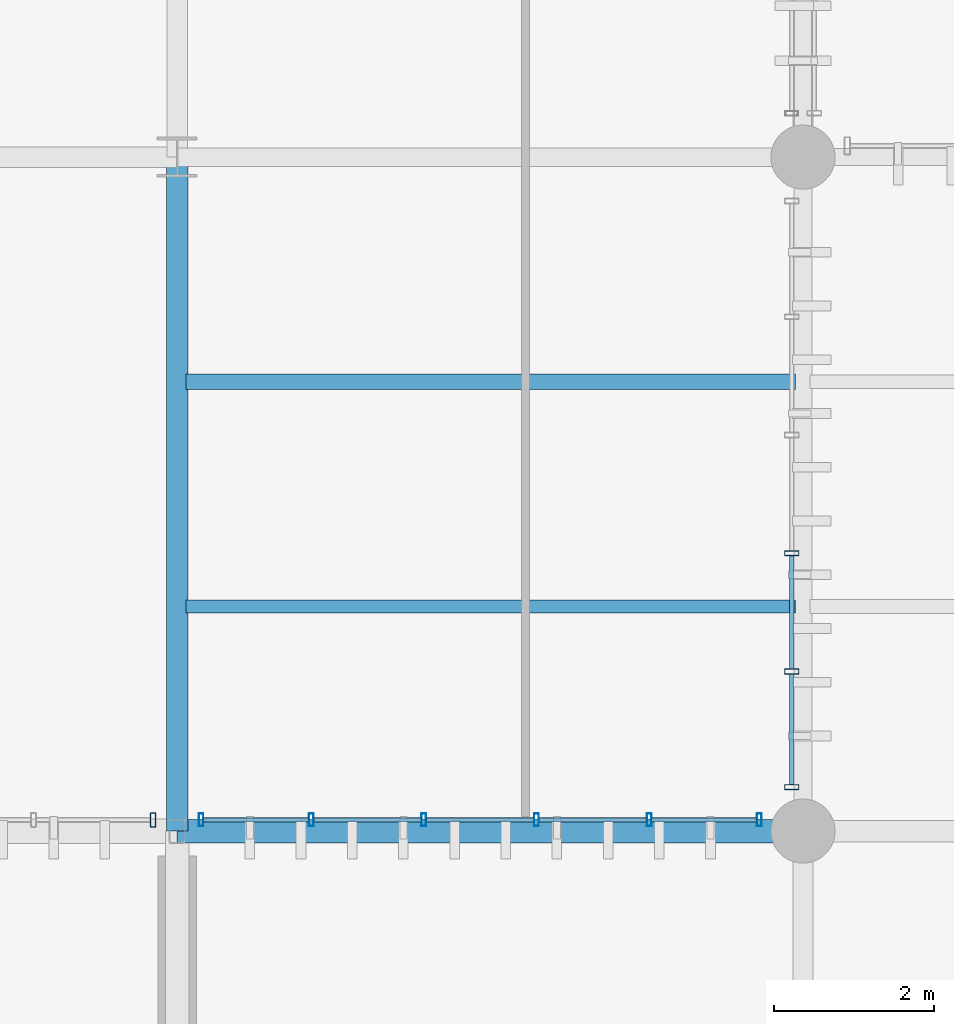
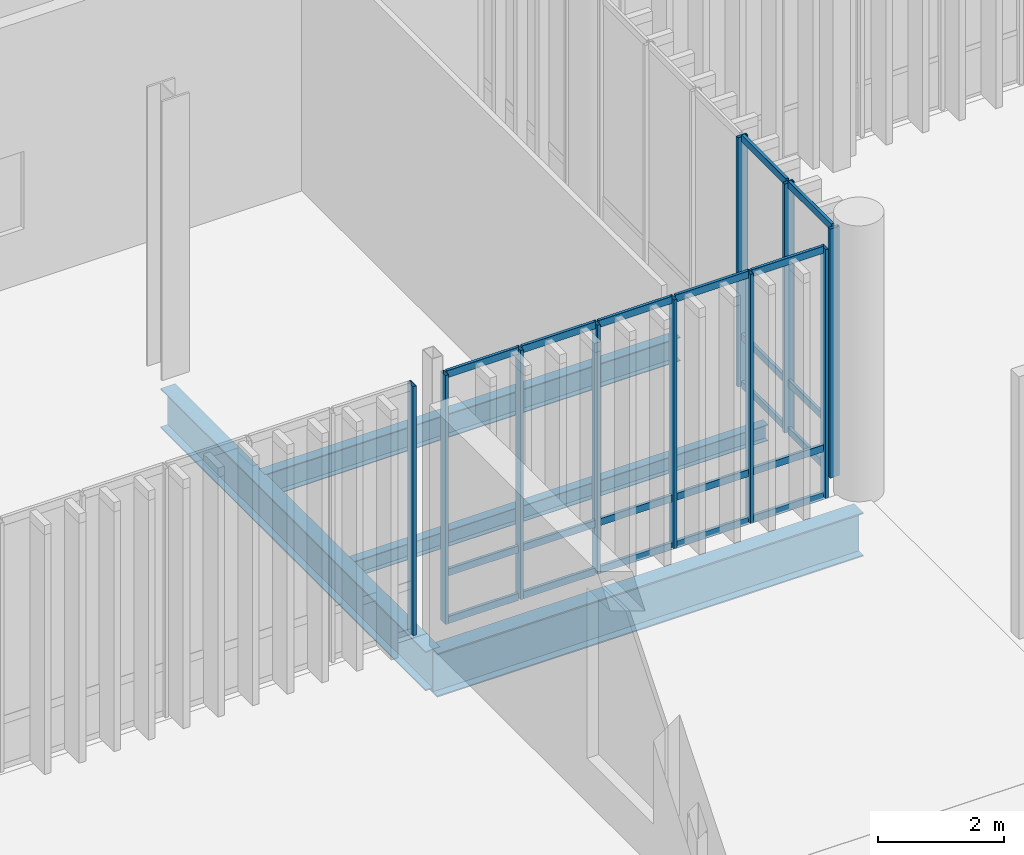
# One storey, part 21 of 112: 31 members, 4 beams, 3 elements without a shape of their own.
"""IFC4 building model written with IfcOpenShell, lengths in metres."""

from ifc_helpers import new_model, si_unit, direction, frame, origin_with_axes, origin_2d_with_axis, place, context, subcontext, project, spatial, hollow_rectangle, i_section, extrude, material, material_profile, profile_set, type_object, element, aggregate, save


model = new_model("IFC4")

# Units and contexts
model_context = context("Model", 3, precision=1e-05, world=origin_with_axes(), true_north=direction((0.0, 1.0)))
body_context = subcontext(model_context, "Body", "Model", "MODEL_VIEW")
ifc_project = project(units=[si_unit("LENGTHUNIT", "METRE"), si_unit("AREAUNIT", "SQUARE_METRE"), si_unit("VOLUMEUNIT", "CUBIC_METRE"), si_unit("PLANEANGLEUNIT", "RADIAN"), si_unit("MASSUNIT", "GRAM", prefix="KILO"), si_unit("THERMODYNAMICTEMPERATUREUNIT", "KELVIN")], contexts=[model_context])

# Site, building, storey
site_placement = place(None, origin_with_axes())
site = spatial("IfcSite", under=ifc_project, at=site_placement, CompositionType="ELEMENT")
building_placement = place(site_placement, origin_with_axes())
building = spatial("IfcBuilding", under=site, at=building_placement, Name="Montbau Bow Law Courts", CompositionType="ELEMENT")
storey_placement = place(building_placement, origin_with_axes())
storey = spatial("IfcBuildingStorey", under=building, at=storey_placement, Name="L00", CompositionType="ELEMENT", Elevation=0.0)

# Beams
ifc_material_1 = material(Name="Steel CSA G40.21 Grade 350W (350 MPa)", Category="steel")
ifc_material_profile_1 = material_profile(ifc_material_1, i_section(OverallWidth=0.293, OverallDepth=0.846, WebThickness=0.0154, FlangeThickness=0.0244, at=origin_2d_with_axis()), Name="W840X210", Category="Main", Priority=0)
ifc_profile_set_1 = profile_set([ifc_material_profile_1], Name="Steel CSA G40.21 Grade 350W (350 MPa)")
beam_type_1 = type_object("IfcBeamType", Name="B-FLR-02", PredefinedType="BEAM", material=ifc_profile_set_1)
beam_1_placement = place(None, frame((39.0, 30.6, -0.763), z_axis=(1.0, 0.0, 0.0), x_axis=(0.0, 1.0, 0.0)))
element("IfcBeam", 1, at=beam_1_placement, inside=storey, type_object=beam_type_1, Name="BM-L00-S0173:bm2_0176", PredefinedType="BEAM", context=body_context, shape_type="SweptSolid", body=[
    extrude(i_section(OverallWidth=0.293, OverallDepth=0.846, WebThickness=0.0154, FlangeThickness=0.0244, at=origin_2d_with_axis()), origin_with_axes(), (0.0, 0.0, 1.0), 7.8),
])
ifc_material_profile_2 = material_profile(ifc_material_1, i_section(OverallWidth=0.267, OverallDepth=0.766, WebThickness=0.0149, FlangeThickness=0.0236, at=origin_2d_with_axis()), Name="W760X185", Category="Main", Priority=0)
ifc_profile_set_2 = profile_set([ifc_material_profile_2], Name="Steel CSA G40.21 Grade 350W (350 MPa)")
beam_type_2 = type_object("IfcBeamType", Name="B-FLR-03", PredefinedType="BEAM", material=ifc_profile_set_2)
beam_2_placement = place(None, frame((39.0, 30.6, -0.723), z_axis=(0.0, 1.0, 0.0), x_axis=(-1.0, 0.0, 0.0)))
element("IfcBeam", 2, at=beam_2_placement, inside=storey, type_object=beam_type_2, Name="BM-L00-S0263:bm2_0266", PredefinedType="BEAM", context=body_context, shape_type="SweptSolid", body=[
    extrude(i_section(OverallWidth=0.267, OverallDepth=0.766, WebThickness=0.0149, FlangeThickness=0.0236, at=origin_2d_with_axis()), origin_with_axes(), (0.0, 0.0, 1.0), 8.4),
])
ifc_material_profile_3 = material_profile(ifc_material_1, i_section(OverallWidth=0.191, OverallDepth=0.46, WebThickness=0.0099, FlangeThickness=0.016, at=origin_2d_with_axis()), Name="W460X82", Category="Main", Priority=0)
ifc_profile_set_3 = profile_set([ifc_material_profile_3], Name="Steel CSA G40.21 Grade 350W (350 MPa)")
beam_type_3 = type_object("IfcBeamType", Name="B-JST-01", PredefinedType="JOIST", material=ifc_profile_set_3)
beam_3_placement = place(None, frame((39.109, 36.2, -0.57), z_axis=(1.0, 0.0, 0.0), x_axis=(0.0, 1.0, 0.0)))
element("IfcBeam", 3, at=beam_3_placement, inside=storey, type_object=beam_type_3, Name="JST-L00-S0036:jst2_0036", PredefinedType="JOIST", context=body_context, shape_type="SweptSolid", body=[
    extrude(i_section(OverallWidth=0.191, OverallDepth=0.46, WebThickness=0.0099, FlangeThickness=0.016, at=origin_2d_with_axis()), origin_with_axes(), (0.0, 0.0, 1.0), 7.6),
])
ifc_material_profile_4 = material_profile(ifc_material_1, i_section(OverallWidth=0.166, OverallDepth=0.313, WebThickness=0.0066, FlangeThickness=0.0112, at=origin_2d_with_axis()), Name="W310X45", Category="Main", Priority=0)
ifc_profile_set_4 = profile_set([ifc_material_profile_4], Name="Steel CSA G40.21 Grade 350W (350 MPa)")
beam_type_4 = type_object("IfcBeamType", Name="B-JST-04", PredefinedType="JOIST", material=ifc_profile_set_4)
beam_4_placement = place(None, frame((39.109, 33.4, -0.497), z_axis=(1.0, 0.0, 0.0), x_axis=(0.0, 1.0, 0.0)))
element("IfcBeam", 4, at=beam_4_placement, inside=storey, type_object=beam_type_4, Name="JST-L00-S0035:jst2_0035", PredefinedType="JOIST", context=body_context, shape_type="SweptSolid", body=[
    extrude(i_section(OverallWidth=0.166, OverallDepth=0.313, WebThickness=0.0066, FlangeThickness=0.0112, at=origin_2d_with_axis()), origin_with_axes(), (0.0, 0.0, 1.0), 7.6),
])

# Curtain wall, member
ifc_material_2 = material(Name="Thermally Broken Extruded Aluminium AA 6063-T6", Category="aluminium")
curtain_wall_type = type_object("IfcCurtainWallType", Name="CW-TRC-01", PredefinedType="NOTDEFINED", material=ifc_material_2)
curtain_wall_1_placement = place(None, frame((31.115, 30.74, 0.0), z_axis=(0.0, 0.0, 1.0), x_axis=(1.0, 0.0, 0.0)))
curtain_wall_1 = element("IfcCurtainWall", 5, at=curtain_wall_1_placement, inside=storey, type_object=curtain_wall_type, Name="CW-L00-004:cw_0004", PredefinedType="NOTDEFINED")
ifc_material_profile_5 = material_profile(ifc_material_2, hollow_rectangle(XDim=0.065, YDim=0.18, WallThickness=0.005, InnerFilletRadius=0.01, OuterFilletRadius=0.005, at=origin_2d_with_axis()), Name="CWM-180X65", Category="Main", Priority=0)
ifc_profile_set_5 = profile_set([ifc_material_profile_5], Name="Thermally Broken Extruded Aluminium AA 6063-T6")
member_type_1 = type_object("IfcMemberType", Name="M-MUL-02", PredefinedType="MULLION", material=ifc_profile_set_5)
member_1_placement = place(None, frame((38.7, 30.74, 0.0), z_axis=(0.0, 0.0, 1.0), x_axis=(1.0, 0.0, 0.0)))
member_1 = element("IfcMember", 6, at=member_1_placement, type_object=member_type_1, Name="CW-L00-004-M06:cw_0004_M06", PredefinedType="MULLION", context=body_context, shape_type="SweptSolid", body=[
    extrude(hollow_rectangle(XDim=0.065, YDim=0.18, WallThickness=0.005, InnerFilletRadius=0.01, OuterFilletRadius=0.005, at=origin_2d_with_axis()), origin_with_axes(), (0.0, 0.0, 1.0), 4.82),
])
aggregate(curtain_wall_1, [member_1])

# Curtain wall, members
curtain_wall_2_placement = place(None, frame((46.66, 31.115, 0.0), z_axis=(0.0, 0.0, 1.0), x_axis=(1.0, 0.0, 0.0)))
curtain_wall_2 = element("IfcCurtainWall", 7, at=curtain_wall_2_placement, inside=storey, type_object=curtain_wall_type, Name="CW-L00-013:cw_0013", PredefinedType="NOTDEFINED")
member_2_placement = place(None, frame((46.66, 31.148, 0.0), z_axis=(0.0, 0.0, 1.0), x_axis=(0.0, 1.0, 0.0)))
member_2 = element("IfcMember", 8, at=member_2_placement, type_object=member_type_1, Name="CW-L00-013-M01:cw_0013_M01", PredefinedType="MULLION", context=body_context, shape_type="SweptSolid", body=[
    extrude(hollow_rectangle(XDim=0.065, YDim=0.18, WallThickness=0.005, InnerFilletRadius=0.01, OuterFilletRadius=0.005, at=origin_2d_with_axis()), origin_with_axes(), (0.0, 0.0, 1.0), 4.82),
])
member_3_placement = place(None, frame((46.66, 32.589, 0.0), z_axis=(0.0, 0.0, 1.0), x_axis=(0.0, 1.0, 0.0)))
member_3 = element("IfcMember", 9, at=member_3_placement, type_object=member_type_1, Name="CW-L00-013-M02:cw_0013_M02", PredefinedType="MULLION", context=body_context, shape_type="SweptSolid", body=[
    extrude(hollow_rectangle(XDim=0.065, YDim=0.18, WallThickness=0.005, InnerFilletRadius=0.01, OuterFilletRadius=0.005, at=origin_2d_with_axis()), origin_with_axes(), (0.0, 0.0, 1.0), 4.82),
])
member_4_placement = place(None, frame((46.66, 34.063, 0.0), z_axis=(0.0, 0.0, 1.0), x_axis=(0.0, 1.0, 0.0)))
member_4 = element("IfcMember", 10, at=member_4_placement, type_object=member_type_1, Name="CW-L00-013-M03:cw_0013_M03", PredefinedType="MULLION", context=body_context, shape_type="SweptSolid", body=[
    extrude(hollow_rectangle(XDim=0.065, YDim=0.18, WallThickness=0.005, InnerFilletRadius=0.01, OuterFilletRadius=0.005, at=origin_2d_with_axis()), origin_with_axes(), (0.0, 0.0, 1.0), 4.82),
])

curtain_wall_3_placement = place(None, frame((39.268, 30.74, 0.0), z_axis=(0.0, 0.0, 1.0), x_axis=(1.0, 0.0, 0.0)))
curtain_wall_3 = element("IfcCurtainWall", 11, at=curtain_wall_3_placement, inside=storey, type_object=curtain_wall_type, Name="CW-L00-005:cw_0005", PredefinedType="NOTDEFINED")
ifc_material_profile_6 = material_profile(ifc_material_2, hollow_rectangle(XDim=0.06, YDim=0.16, WallThickness=0.004, InnerFilletRadius=0.008, OuterFilletRadius=0.004, at=origin_2d_with_axis()), Name="CWM-160X60", Category="Main", Priority=0)
ifc_profile_set_6 = profile_set([ifc_material_profile_6], Name="Thermally Broken Extruded Aluminium AA 6063-T6")
member_type_2 = type_object("IfcMemberType", Name="M-MUL-03", PredefinedType="MULLION", material=ifc_profile_set_6)
member_5_placement = place(None, frame((39.298, 30.74, 0.0), z_axis=(0.0, 0.0, 1.0), x_axis=(1.0, 0.0, 0.0)))
member_5 = element("IfcMember", 12, at=member_5_placement, type_object=member_type_2, Name="CW-L00-005-M01:cw_0005_M01", PredefinedType="MULLION", context=body_context, shape_type="SweptSolid", body=[
    extrude(hollow_rectangle(XDim=0.06, YDim=0.16, WallThickness=0.004, InnerFilletRadius=0.008, OuterFilletRadius=0.004, at=origin_2d_with_axis()), origin_with_axes(), (0.0, 0.0, 1.0), 4.82),
])
member_6_placement = place(None, frame((40.671, 30.74, 0.0), z_axis=(0.0, 0.0, 1.0), x_axis=(1.0, 0.0, 0.0)))
member_6 = element("IfcMember", 13, at=member_6_placement, type_object=member_type_2, Name="CW-L00-005-M02:cw_0005_M02", PredefinedType="MULLION", context=body_context, shape_type="SweptSolid", body=[
    extrude(hollow_rectangle(XDim=0.06, YDim=0.16, WallThickness=0.004, InnerFilletRadius=0.008, OuterFilletRadius=0.004, at=origin_2d_with_axis()), origin_with_axes(), (0.0, 0.0, 1.0), 4.82),
])
member_7_placement = place(None, frame((42.075, 30.74, 0.0), z_axis=(0.0, 0.0, 1.0), x_axis=(1.0, 0.0, 0.0)))
member_7 = element("IfcMember", 14, at=member_7_placement, type_object=member_type_2, Name="CW-L00-005-M03:cw_0005_M03", PredefinedType="MULLION", context=body_context, shape_type="SweptSolid", body=[
    extrude(hollow_rectangle(XDim=0.06, YDim=0.16, WallThickness=0.004, InnerFilletRadius=0.008, OuterFilletRadius=0.004, at=origin_2d_with_axis()), origin_with_axes(), (0.0, 0.0, 1.0), 4.82),
])
member_8_placement = place(None, frame((43.478, 30.74, 0.0), z_axis=(0.0, 0.0, 1.0), x_axis=(1.0, 0.0, 0.0)))
member_8 = element("IfcMember", 15, at=member_8_placement, type_object=member_type_2, Name="CW-L00-005-M04:cw_0005_M04", PredefinedType="MULLION", context=body_context, shape_type="SweptSolid", body=[
    extrude(hollow_rectangle(XDim=0.06, YDim=0.16, WallThickness=0.004, InnerFilletRadius=0.008, OuterFilletRadius=0.004, at=origin_2d_with_axis()), origin_with_axes(), (0.0, 0.0, 1.0), 4.82),
])
member_9_placement = place(None, frame((44.882, 30.74, 0.0), z_axis=(0.0, 0.0, 1.0), x_axis=(1.0, 0.0, 0.0)))
member_9 = element("IfcMember", 16, at=member_9_placement, type_object=member_type_2, Name="CW-L00-005-M05:cw_0005_M05", PredefinedType="MULLION", context=body_context, shape_type="SweptSolid", body=[
    extrude(hollow_rectangle(XDim=0.06, YDim=0.16, WallThickness=0.004, InnerFilletRadius=0.008, OuterFilletRadius=0.004, at=origin_2d_with_axis()), origin_with_axes(), (0.0, 0.0, 1.0), 4.82),
])
member_10_placement = place(None, frame((46.255, 30.74, 0.0), z_axis=(0.0, 0.0, 1.0), x_axis=(1.0, 0.0, 0.0)))
member_10 = element("IfcMember", 17, at=member_10_placement, type_object=member_type_2, Name="CW-L00-005-M06:cw_0005_M06", PredefinedType="MULLION", context=body_context, shape_type="SweptSolid", body=[
    extrude(hollow_rectangle(XDim=0.06, YDim=0.16, WallThickness=0.004, InnerFilletRadius=0.008, OuterFilletRadius=0.004, at=origin_2d_with_axis()), origin_with_axes(), (0.0, 0.0, 1.0), 4.82),
])
ifc_material_profile_7 = material_profile(ifc_material_2, hollow_rectangle(XDim=0.055, YDim=0.14, WallThickness=0.004, InnerFilletRadius=0.008, OuterFilletRadius=0.004, at=origin_2d_with_axis()), Name="CWT-140X55", Category="Main", Priority=0)
ifc_profile_set_7 = profile_set([ifc_material_profile_7], Name="Thermally Broken Extruded Aluminium AA 6063-T6")
member_type_3 = type_object("IfcMemberType", Name="M-TRN-02", PredefinedType="USERDEFINED", material=ifc_profile_set_7)
member_11_placement = place(None, frame((39.33, 30.74, 0.028), z_axis=(1.0, 0.0, 0.0), x_axis=(0.0, 1.0, 0.0)))
member_11 = element("IfcMember", 18, at=member_11_placement, type_object=member_type_3, Name="CW-L00-005-T01-1:cw_0005_T01_1", ObjectType="TRANSOM", PredefinedType="USERDEFINED", context=body_context, shape_type="SweptSolid", body=[
    extrude(hollow_rectangle(XDim=0.055, YDim=0.14, WallThickness=0.004, InnerFilletRadius=0.008, OuterFilletRadius=0.004, at=origin_2d_with_axis()), origin_with_axes(), (0.0, 0.0, 1.0), 1.309),
])
member_12_placement = place(None, frame((39.33, 30.74, 0.95), z_axis=(1.0, 0.0, 0.0), x_axis=(0.0, 1.0, 0.0)))
member_12 = element("IfcMember", 19, at=member_12_placement, type_object=member_type_3, Name="CW-L00-005-T01-2:cw_0005_T01_2", ObjectType="TRANSOM", PredefinedType="USERDEFINED", context=body_context, shape_type="SweptSolid", body=[
    extrude(hollow_rectangle(XDim=0.055, YDim=0.14, WallThickness=0.004, InnerFilletRadius=0.008, OuterFilletRadius=0.004, at=origin_2d_with_axis()), origin_with_axes(), (0.0, 0.0, 1.0), 1.309),
])
member_13_placement = place(None, frame((39.33, 30.74, 4.793), z_axis=(1.0, 0.0, 0.0), x_axis=(0.0, 1.0, 0.0)))
member_13 = element("IfcMember", 20, at=member_13_placement, type_object=member_type_3, Name="CW-L00-005-T01-3:cw_0005_T01_3", ObjectType="TRANSOM", PredefinedType="USERDEFINED", context=body_context, shape_type="SweptSolid", body=[
    extrude(hollow_rectangle(XDim=0.055, YDim=0.14, WallThickness=0.004, InnerFilletRadius=0.008, OuterFilletRadius=0.004, at=origin_2d_with_axis()), origin_with_axes(), (0.0, 0.0, 1.0), 1.309),
])
member_14_placement = place(None, frame((40.703, 30.74, 0.028), z_axis=(1.0, 0.0, 0.0), x_axis=(0.0, 1.0, 0.0)))
member_14 = element("IfcMember", 21, at=member_14_placement, type_object=member_type_3, Name="CW-L00-005-T02-1:cw_0005_T02_1", ObjectType="TRANSOM", PredefinedType="USERDEFINED", context=body_context, shape_type="SweptSolid", body=[
    extrude(hollow_rectangle(XDim=0.055, YDim=0.14, WallThickness=0.004, InnerFilletRadius=0.008, OuterFilletRadius=0.004, at=origin_2d_with_axis()), origin_with_axes(), (0.0, 0.0, 1.0), 1.34),
])
member_15_placement = place(None, frame((40.703, 30.74, 0.95), z_axis=(1.0, 0.0, 0.0), x_axis=(0.0, 1.0, 0.0)))
member_15 = element("IfcMember", 22, at=member_15_placement, type_object=member_type_3, Name="CW-L00-005-T02-2:cw_0005_T02_2", ObjectType="TRANSOM", PredefinedType="USERDEFINED", context=body_context, shape_type="SweptSolid", body=[
    extrude(hollow_rectangle(XDim=0.055, YDim=0.14, WallThickness=0.004, InnerFilletRadius=0.008, OuterFilletRadius=0.004, at=origin_2d_with_axis()), origin_with_axes(), (0.0, 0.0, 1.0), 1.34),
])
member_16_placement = place(None, frame((40.703, 30.74, 4.793), z_axis=(1.0, 0.0, 0.0), x_axis=(0.0, 1.0, 0.0)))
member_16 = element("IfcMember", 23, at=member_16_placement, type_object=member_type_3, Name="CW-L00-005-T02-3:cw_0005_T02_3", ObjectType="TRANSOM", PredefinedType="USERDEFINED", context=body_context, shape_type="SweptSolid", body=[
    extrude(hollow_rectangle(XDim=0.055, YDim=0.14, WallThickness=0.004, InnerFilletRadius=0.008, OuterFilletRadius=0.004, at=origin_2d_with_axis()), origin_with_axes(), (0.0, 0.0, 1.0), 1.34),
])
member_17_placement = place(None, frame((42.107, 30.74, 0.028), z_axis=(1.0, 0.0, 0.0), x_axis=(0.0, 1.0, 0.0)))
member_17 = element("IfcMember", 24, at=member_17_placement, type_object=member_type_3, Name="CW-L00-005-T03-1:cw_0005_T03_1", ObjectType="TRANSOM", PredefinedType="USERDEFINED", context=body_context, shape_type="SweptSolid", body=[
    extrude(hollow_rectangle(XDim=0.055, YDim=0.14, WallThickness=0.004, InnerFilletRadius=0.008, OuterFilletRadius=0.004, at=origin_2d_with_axis()), origin_with_axes(), (0.0, 0.0, 1.0), 1.339),
])
member_18_placement = place(None, frame((42.107, 30.74, 0.95), z_axis=(1.0, 0.0, 0.0), x_axis=(0.0, 1.0, 0.0)))
member_18 = element("IfcMember", 25, at=member_18_placement, type_object=member_type_3, Name="CW-L00-005-T03-2:cw_0005_T03_2", ObjectType="TRANSOM", PredefinedType="USERDEFINED", context=body_context, shape_type="SweptSolid", body=[
    extrude(hollow_rectangle(XDim=0.055, YDim=0.14, WallThickness=0.004, InnerFilletRadius=0.008, OuterFilletRadius=0.004, at=origin_2d_with_axis()), origin_with_axes(), (0.0, 0.0, 1.0), 1.339),
])
member_19_placement = place(None, frame((42.107, 30.74, 4.793), z_axis=(1.0, 0.0, 0.0), x_axis=(0.0, 1.0, 0.0)))
member_19 = element("IfcMember", 26, at=member_19_placement, type_object=member_type_3, Name="CW-L00-005-T03-3:cw_0005_T03_3", ObjectType="TRANSOM", PredefinedType="USERDEFINED", context=body_context, shape_type="SweptSolid", body=[
    extrude(hollow_rectangle(XDim=0.055, YDim=0.14, WallThickness=0.004, InnerFilletRadius=0.008, OuterFilletRadius=0.004, at=origin_2d_with_axis()), origin_with_axes(), (0.0, 0.0, 1.0), 1.339),
])
member_20_placement = place(None, frame((43.51, 30.74, 0.028), z_axis=(1.0, 0.0, 0.0), x_axis=(0.0, 1.0, 0.0)))
member_20 = element("IfcMember", 27, at=member_20_placement, type_object=member_type_3, Name="CW-L00-005-T04-1:cw_0005_T04_1", ObjectType="TRANSOM", PredefinedType="USERDEFINED", context=body_context, shape_type="SweptSolid", body=[
    extrude(hollow_rectangle(XDim=0.055, YDim=0.14, WallThickness=0.004, InnerFilletRadius=0.008, OuterFilletRadius=0.004, at=origin_2d_with_axis()), origin_with_axes(), (0.0, 0.0, 1.0), 1.34),
])
member_21_placement = place(None, frame((43.51, 30.74, 0.95), z_axis=(1.0, 0.0, 0.0), x_axis=(0.0, 1.0, 0.0)))
member_21 = element("IfcMember", 28, at=member_21_placement, type_object=member_type_3, Name="CW-L00-005-T04-2:cw_0005_T04_2", ObjectType="TRANSOM", PredefinedType="USERDEFINED", context=body_context, shape_type="SweptSolid", body=[
    extrude(hollow_rectangle(XDim=0.055, YDim=0.14, WallThickness=0.004, InnerFilletRadius=0.008, OuterFilletRadius=0.004, at=origin_2d_with_axis()), origin_with_axes(), (0.0, 0.0, 1.0), 1.34),
])
member_22_placement = place(None, frame((43.51, 30.74, 4.793), z_axis=(1.0, 0.0, 0.0), x_axis=(0.0, 1.0, 0.0)))
member_22 = element("IfcMember", 29, at=member_22_placement, type_object=member_type_3, Name="CW-L00-005-T04-3:cw_0005_T04_3", ObjectType="TRANSOM", PredefinedType="USERDEFINED", context=body_context, shape_type="SweptSolid", body=[
    extrude(hollow_rectangle(XDim=0.055, YDim=0.14, WallThickness=0.004, InnerFilletRadius=0.008, OuterFilletRadius=0.004, at=origin_2d_with_axis()), origin_with_axes(), (0.0, 0.0, 1.0), 1.34),
])
member_23_placement = place(None, frame((44.914, 30.74, 0.028), z_axis=(1.0, 0.0, 0.0), x_axis=(0.0, 1.0, 0.0)))
member_23 = element("IfcMember", 30, at=member_23_placement, type_object=member_type_3, Name="CW-L00-005-T05-1:cw_0005_T05_1", ObjectType="TRANSOM", PredefinedType="USERDEFINED", context=body_context, shape_type="SweptSolid", body=[
    extrude(hollow_rectangle(XDim=0.055, YDim=0.14, WallThickness=0.004, InnerFilletRadius=0.008, OuterFilletRadius=0.004, at=origin_2d_with_axis()), origin_with_axes(), (0.0, 0.0, 1.0), 1.309),
])
member_24_placement = place(None, frame((44.914, 30.74, 0.95), z_axis=(1.0, 0.0, 0.0), x_axis=(0.0, 1.0, 0.0)))
member_24 = element("IfcMember", 31, at=member_24_placement, type_object=member_type_3, Name="CW-L00-005-T05-2:cw_0005_T05_2", ObjectType="TRANSOM", PredefinedType="USERDEFINED", context=body_context, shape_type="SweptSolid", body=[
    extrude(hollow_rectangle(XDim=0.055, YDim=0.14, WallThickness=0.004, InnerFilletRadius=0.008, OuterFilletRadius=0.004, at=origin_2d_with_axis()), origin_with_axes(), (0.0, 0.0, 1.0), 1.309),
])
member_25_placement = place(None, frame((44.914, 30.74, 4.793), z_axis=(1.0, 0.0, 0.0), x_axis=(0.0, 1.0, 0.0)))
member_25 = element("IfcMember", 32, at=member_25_placement, type_object=member_type_3, Name="CW-L00-005-T05-3:cw_0005_T05_3", ObjectType="TRANSOM", PredefinedType="USERDEFINED", context=body_context, shape_type="SweptSolid", body=[
    extrude(hollow_rectangle(XDim=0.055, YDim=0.14, WallThickness=0.004, InnerFilletRadius=0.008, OuterFilletRadius=0.004, at=origin_2d_with_axis()), origin_with_axes(), (0.0, 0.0, 1.0), 1.309),
])
aggregate(curtain_wall_3, [member_5, member_6, member_7, member_8, member_9, member_10, member_11, member_12, member_13, member_14, member_15, member_16, member_17, member_18, member_19, member_20, member_21, member_22, member_23, member_24, member_25])

# Member
member_26_placement = place(None, frame((46.66, 31.183, 0.028), z_axis=(0.0, 1.0, 0.0), x_axis=(-1.0, 0.0, 0.0)))
member_26 = element("IfcMember", 33, at=member_26_placement, type_object=member_type_3, Name="CW-L00-013-T01-1:cw_0013_T01_1", ObjectType="TRANSOM", PredefinedType="USERDEFINED", context=body_context, shape_type="SweptSolid", body=[
    extrude(hollow_rectangle(XDim=0.055, YDim=0.14, WallThickness=0.004, InnerFilletRadius=0.008, OuterFilletRadius=0.004, at=origin_2d_with_axis()), origin_with_axes(), (0.0, 0.0, 1.0), 1.372),
])

member_27_placement = place(None, frame((46.66, 31.183, 0.95), z_axis=(0.0, 1.0, 0.0), x_axis=(-1.0, 0.0, 0.0)))
member_27 = element("IfcMember", 34, at=member_27_placement, type_object=member_type_3, Name="CW-L00-013-T01-2:cw_0013_T01_2", ObjectType="TRANSOM", PredefinedType="USERDEFINED", context=body_context, shape_type="SweptSolid", body=[
    extrude(hollow_rectangle(XDim=0.055, YDim=0.14, WallThickness=0.004, InnerFilletRadius=0.008, OuterFilletRadius=0.004, at=origin_2d_with_axis()), origin_with_axes(), (0.0, 0.0, 1.0), 1.372),
])

member_28_placement = place(None, frame((46.66, 31.183, 4.793), z_axis=(0.0, 1.0, 0.0), x_axis=(-1.0, 0.0, 0.0)))
member_28 = element("IfcMember", 35, at=member_28_placement, type_object=member_type_3, Name="CW-L00-013-T01-3:cw_0013_T01_3", ObjectType="TRANSOM", PredefinedType="USERDEFINED", context=body_context, shape_type="SweptSolid", body=[
    extrude(hollow_rectangle(XDim=0.055, YDim=0.14, WallThickness=0.004, InnerFilletRadius=0.008, OuterFilletRadius=0.004, at=origin_2d_with_axis()), origin_with_axes(), (0.0, 0.0, 1.0), 1.372),
])

member_29_placement = place(None, frame((46.66, 32.623, 0.028), z_axis=(0.0, 1.0, 0.0), x_axis=(-1.0, 0.0, 0.0)))
member_29 = element("IfcMember", 36, at=member_29_placement, type_object=member_type_3, Name="CW-L00-013-T02-1:cw_0013_T02_1", ObjectType="TRANSOM", PredefinedType="USERDEFINED", context=body_context, shape_type="SweptSolid", body=[
    extrude(hollow_rectangle(XDim=0.055, YDim=0.14, WallThickness=0.004, InnerFilletRadius=0.008, OuterFilletRadius=0.004, at=origin_2d_with_axis()), origin_with_axes(), (0.0, 0.0, 1.0), 1.405),
])

member_30_placement = place(None, frame((46.66, 32.623, 0.95), z_axis=(0.0, 1.0, 0.0), x_axis=(-1.0, 0.0, 0.0)))
member_30 = element("IfcMember", 37, at=member_30_placement, type_object=member_type_3, Name="CW-L00-013-T02-2:cw_0013_T02_2", ObjectType="TRANSOM", PredefinedType="USERDEFINED", context=body_context, shape_type="SweptSolid", body=[
    extrude(hollow_rectangle(XDim=0.055, YDim=0.14, WallThickness=0.004, InnerFilletRadius=0.008, OuterFilletRadius=0.004, at=origin_2d_with_axis()), origin_with_axes(), (0.0, 0.0, 1.0), 1.405),
])

member_31_placement = place(None, frame((46.66, 32.623, 4.793), z_axis=(0.0, 1.0, 0.0), x_axis=(-1.0, 0.0, 0.0)))
member_31 = element("IfcMember", 38, at=member_31_placement, type_object=member_type_3, Name="CW-L00-013-T02-3:cw_0013_T02_3", ObjectType="TRANSOM", PredefinedType="USERDEFINED", context=body_context, shape_type="SweptSolid", body=[
    extrude(hollow_rectangle(XDim=0.055, YDim=0.14, WallThickness=0.004, InnerFilletRadius=0.008, OuterFilletRadius=0.004, at=origin_2d_with_axis()), origin_with_axes(), (0.0, 0.0, 1.0), 1.405),
])

aggregate(curtain_wall_2, [member_2, member_3, member_4, member_26, member_27, member_28, member_29, member_30, member_31])

save(model, "model.ifc")
